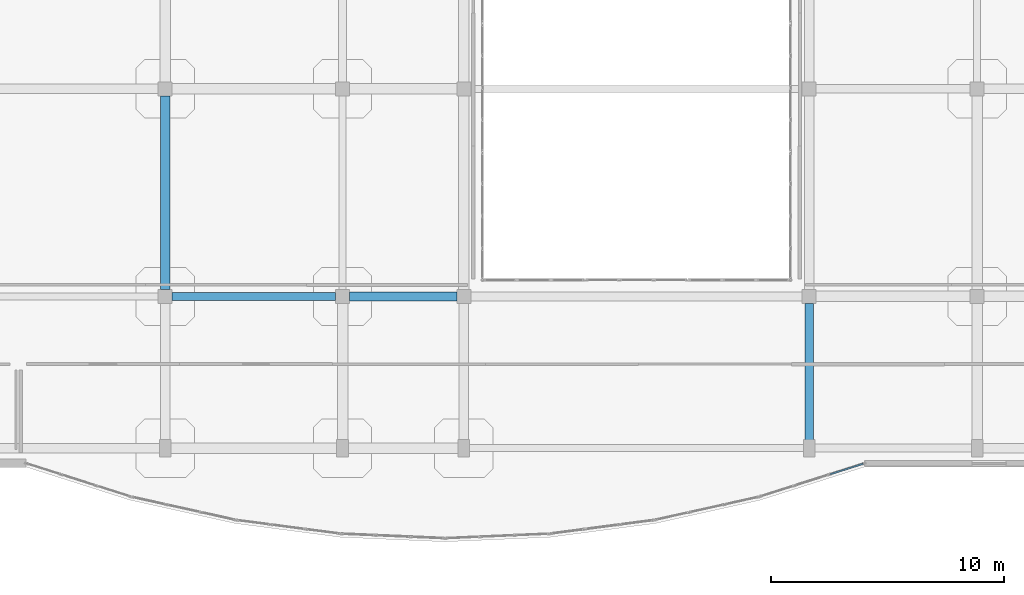
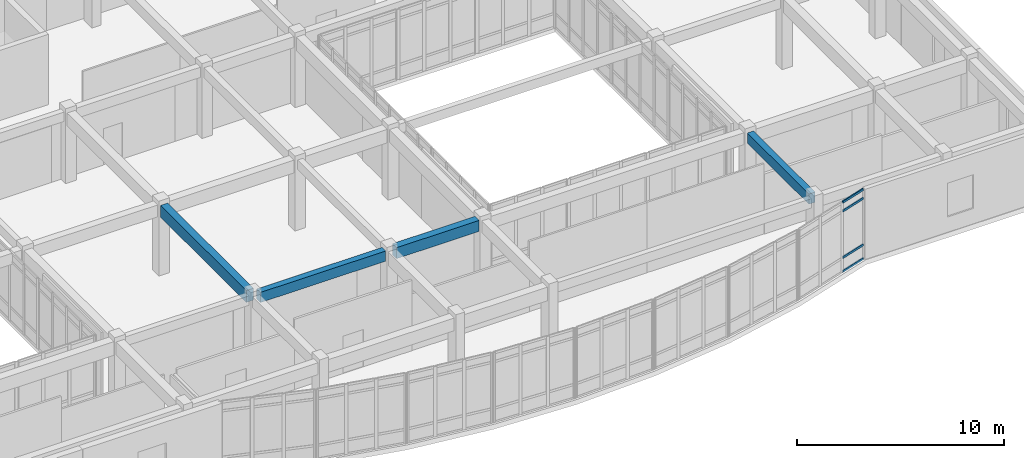
# One storey, part 81 of 142: 4 beams, 4 members, 1 element without a shape of its own.
"""IFC4 building model written with IfcOpenShell, lengths in metres."""

from ifc_helpers import new_model, si_unit, direction, frame, origin, origin_2d, place, context, subcontext, project, spatial, rectangle, hollow_rectangle, extrude, material, layer, layer_set, material_profile, profile_set, type_object, element, aggregate, save


model = new_model("IFC4")

# Units and contexts
model_context = context("Model", 3, precision=1e-05, world=origin(), true_north=direction((0.0, 1.0)))
body_context = subcontext(model_context, "Body", "Model", "MODEL_VIEW")
ifc_project = project(units=[si_unit("LENGTHUNIT", "METRE"), si_unit("AREAUNIT", "SQUARE_METRE"), si_unit("VOLUMEUNIT", "CUBIC_METRE"), si_unit("PLANEANGLEUNIT", "RADIAN"), si_unit("MASSUNIT", "GRAM", prefix="KILO")], contexts=[model_context])

# Site, building, storey
site_placement = place(None, origin())
site = spatial("IfcSite", under=ifc_project, at=site_placement, CompositionType="ELEMENT")
building_placement = place(site_placement, origin())
building = spatial("IfcBuilding", under=site, at=building_placement, Name="Valcora Specialist Clinic", CompositionType="ELEMENT")
storey_placement = place(building_placement, frame((0.0, 0.0, 5.10009765625)))
storey = spatial("IfcBuildingStorey", under=building, at=storey_placement, Name="L01", CompositionType="ELEMENT", Elevation=5.10009765625)

# Beams
ifc_material_1 = material(Name="Concrete C40/50", Category="concrete")
ifc_material_profile_1 = material_profile(ifc_material_1, rectangle(XDim=0.35009765625, YDim=0.60009765625, at=origin_2d()), Name="RC-BM-350X600")
ifc_profile_set_1 = profile_set([ifc_material_profile_1], Name="Concrete C40/50")
beam_type_1 = type_object("IfcBeamType", Name="TY-BM-RC350X600", PredefinedType="BEAM", material=ifc_profile_set_1)
beam_1_placement = place(storey_placement, frame((98.699951171875, 81.300048828125, 3.844970703125), z_axis=(1.0, 0.0, 0.0), x_axis=(0.0, 1.0, 0.0)))
element("IfcBeam", 1, at=beam_1_placement, inside=storey, type_object=beam_type_1, Name="Beam BM-L01-0626", PredefinedType="BEAM", context=body_context, shape_type="SweptSolid", body=[
    extrude(rectangle(XDim=0.35009765625, YDim=0.60009765625, at=origin_2d()), origin(), (0.0, 0.0, 1.0), 7.0),
])
beam_2_placement = place(storey_placement, frame((126.0, 75.050048828125, 3.844970703125), z_axis=(0.0, 1.0, 0.0), x_axis=(-1.0, 0.0, 0.0)))
element("IfcBeam", 2, at=beam_2_placement, inside=storey, type_object=beam_type_1, Name="Beam BM-L01-0684", PredefinedType="BEAM", context=body_context, shape_type="SweptSolid", body=[
    extrude(rectangle(XDim=0.35009765625, YDim=0.60009765625, at=origin_2d()), origin(), (0.0, 0.0, 1.0), 5.949951171875),
])
ifc_material_profile_2 = material_profile(ifc_material_1, rectangle(XDim=0.39990234375, YDim=0.64990234375, at=origin_2d()), Name="RC-BM-400X650")
ifc_profile_set_2 = profile_set([ifc_material_profile_2], Name="Concrete C40/50")
beam_type_2 = type_object("IfcBeamType", Name="TY-BM-RC400X650", PredefinedType="BEAM", material=ifc_profile_set_2)
beam_3_placement = place(storey_placement, frame((106.300048828125, 81.300048828125, 3.81982421875), z_axis=(1.0, 0.0, 0.0), x_axis=(0.0, 1.0, 0.0)))
element("IfcBeam", 3, at=beam_3_placement, inside=storey, type_object=beam_type_2, Name="Beam BM-L01-0627", PredefinedType="BEAM", context=body_context, shape_type="SweptSolid", body=[
    extrude(rectangle(XDim=0.39990234375, YDim=0.64990234375, at=origin_2d()), origin(), (0.0, 0.0, 1.0), 4.599853515625),
])
ifc_material_profile_3 = material_profile(ifc_material_1, rectangle(XDim=0.39990234375, YDim=0.699951171875, at=origin_2d()), Name="RC-BM-400X700")
ifc_profile_set_3 = profile_set([ifc_material_profile_3], Name="Concrete C40/50")
beam_type_3 = type_object("IfcBeamType", Name="TY-BM-RC400X700", PredefinedType="BEAM", material=ifc_profile_set_3)
beam_4_placement = place(storey_placement, frame((98.39990234375, 81.60009765625, 3.794921875), z_axis=(0.0, 1.0, 0.0), x_axis=(-1.0, 0.0, 0.0)))
element("IfcBeam", 4, at=beam_4_placement, inside=storey, type_object=beam_type_3, Name="Beam BM-L01-0674", PredefinedType="BEAM", context=body_context, shape_type="SweptSolid", body=[
    extrude(rectangle(XDim=0.39990234375, YDim=0.699951171875, at=origin_2d()), origin(), (0.0, 0.0, 1.0), 8.2998046875),
])

# Curtain wall, members
ifc_material_2 = material(Name="Anodized Bronze Aluminium 6063-T6", Category="aluminium")
ifc_layer = layer(ifc_material_2, 0.175048828125)
ifc_layer_set = layer_set([ifc_layer], Name="Anodized Bronze Aluminium 6063-T6")
curtain_wall_type = type_object("IfcCurtainWallType", Name="TY-CW-ARC44", PredefinedType="NOTDEFINED", material=ifc_layer_set)
curtain_wall_placement = place(storey_placement, origin())
curtain_wall = element("IfcCurtainWall", 5, at=curtain_wall_placement, inside=storey, type_object=curtain_wall_type, Name="Curtain wall CW-L01-053", PredefinedType="NOTDEFINED")
ifc_material_profile_4 = material_profile(ifc_material_2, hollow_rectangle(XDim=0.06494140625, YDim=0.1298828125, WallThickness=0.00390625, at=origin_2d()), Name="AL-TRN-65X130")
ifc_profile_set_4 = profile_set([ifc_material_profile_4], Name="Anodized Bronze Aluminium 6063-T6")
member_type = type_object("IfcMemberType", Name="TY-CWT-65X130", PredefinedType="USERDEFINED", material=ifc_profile_set_4)
member_1_placement = place(storey_placement, frame((128.314697265625, 74.13037109375, 0.032470703125), z_axis=(-0.952910635624, -0.303251249816, 0.0), x_axis=(0.303251249816, -0.952910635624, 0.0)))
member_1 = element("IfcMember", 6, at=member_1_placement, type_object=member_type, Name="CW-ARC-44 transom 1.1", ObjectType="TRANSOM", PredefinedType="USERDEFINED", context=body_context, shape_type="SweptSolid", body=[
    extrude(hollow_rectangle(XDim=0.06494140625, YDim=0.1298828125, WallThickness=0.00390625, at=origin_2d()), origin(), (0.0, 0.0, 1.0), 1.482177734375),
])
member_2_placement = place(storey_placement, frame((128.314697265625, 74.13037109375, 0.849853515625), z_axis=(-0.952910635624, -0.303251249816, 0.0), x_axis=(0.303251249816, -0.952910635624, 0.0)))
member_2 = element("IfcMember", 7, at=member_2_placement, type_object=member_type, Name="CW-ARC-44 transom 1.2", ObjectType="TRANSOM", PredefinedType="USERDEFINED", context=body_context, shape_type="SweptSolid", body=[
    extrude(hollow_rectangle(XDim=0.06494140625, YDim=0.1298828125, WallThickness=0.00390625, at=origin_2d()), origin(), (0.0, 0.0, 1.0), 1.482177734375),
])
member_3_placement = place(storey_placement, frame((128.314697265625, 74.13037109375, 3.594970703125), z_axis=(-0.952910635624, -0.303251249816, 0.0), x_axis=(0.303251249816, -0.952910635624, 0.0)))
member_3 = element("IfcMember", 8, at=member_3_placement, type_object=member_type, Name="CW-ARC-44 transom 1.3", ObjectType="TRANSOM", PredefinedType="USERDEFINED", context=body_context, shape_type="SweptSolid", body=[
    extrude(hollow_rectangle(XDim=0.06494140625, YDim=0.1298828125, WallThickness=0.00390625, at=origin_2d()), origin(), (0.0, 0.0, 1.0), 1.482177734375),
])
member_4_placement = place(storey_placement, frame((128.314697265625, 74.13037109375, 4.1123046875), z_axis=(-0.952910635624, -0.303251249816, 0.0), x_axis=(0.303251249816, -0.952910635624, 0.0)))
member_4 = element("IfcMember", 9, at=member_4_placement, type_object=member_type, Name="CW-ARC-44 transom 1.4", ObjectType="TRANSOM", PredefinedType="USERDEFINED", context=body_context, shape_type="SweptSolid", body=[
    extrude(hollow_rectangle(XDim=0.06494140625, YDim=0.1298828125, WallThickness=0.00390625, at=origin_2d()), origin(), (0.0, 0.0, 1.0), 1.482177734375),
])
aggregate(curtain_wall, [member_1, member_2, member_3, member_4])

save(model, "model.ifc")
